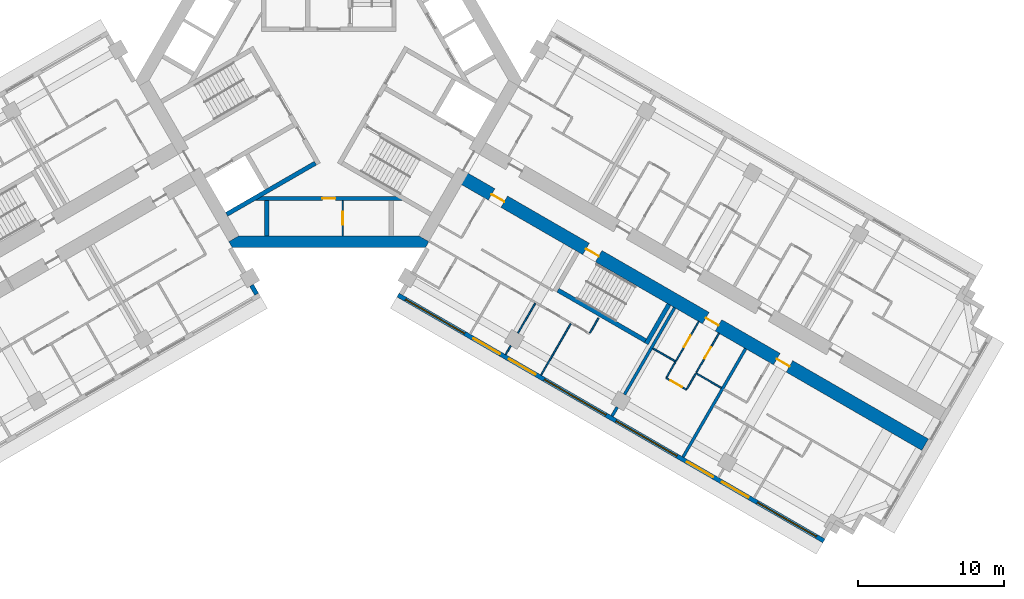
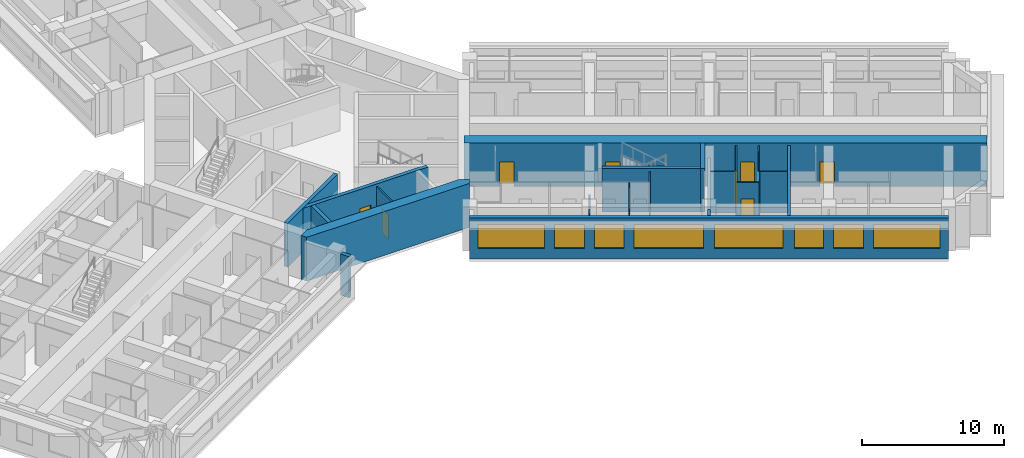
# One storey, part 5 of 14: 24 walls, 9 doors, 8 windows, 17 openings.
"""IFC4 building model written with IfcOpenShell, lengths in metres."""

from ifc_helpers import new_model, si_unit, direction, frame, frame_2d, origin, place, context, subcontext, project, spatial, polyline, rectangle, outline, extrude, material, layer, layer_set, type_object, element, fill, save


model = new_model("IFC4")

# Units and contexts
model_context = context("Model", 3, precision=1e-05, world=origin(), true_north=direction((0.0, 1.0)))
body_context = subcontext(model_context, "Body", "Model", "MODEL_VIEW")
ifc_project = project(units=[si_unit("LENGTHUNIT", "METRE"), si_unit("AREAUNIT", "SQUARE_METRE"), si_unit("VOLUMEUNIT", "CUBIC_METRE"), si_unit("PLANEANGLEUNIT", "RADIAN"), si_unit("MASSUNIT", "GRAM", prefix="KILO")], contexts=[model_context])

# Site, building, storey
site_placement = place(None, origin())
site = spatial("IfcSite", under=ifc_project, at=site_placement, CompositionType="ELEMENT")
building_placement = place(site_placement, origin())
building = spatial("IfcBuilding", under=site, at=building_placement, Name="Impinga Residences", CompositionType="ELEMENT")
storey_placement = place(building_placement, frame((0.0, 0.0, 147.25)))
storey = spatial("IfcBuildingStorey", under=building, at=storey_placement, Name="L36", CompositionType="ELEMENT", Elevation=147.25)

# Wall, openings, doors
ifc_material_1 = material(Name="Concrete C60/75", Category="concrete")
ifc_layer_1 = layer(ifc_material_1, 0.89990234375)
ifc_layer_set_1 = layer_set([ifc_layer_1], Name="Concrete C60/75")
wall_type_1 = type_object("IfcWallType", Name="BW2 corridor buttress wall, L24 to L44 900", PredefinedType="SHEAR", material=ifc_layer_set_1)
wall_1_placement = place(storey_placement, frame((8.95361328125, -6.554931640625, 0.0), z_axis=(0.0, 0.0, 1.0), x_axis=(0.866024733898, -0.500001160275, 0.0)))
wall_1 = element("IfcWall", 1, at=wall_1_placement, inside=storey, type_object=wall_type_1, Name="Corridor wall BW2 ED L36", PredefinedType="SHEAR", context=body_context, shape_type="SweptSolid", body=[
    extrude(rectangle(XDim=36.7001953125, YDim=0.89990234375, at=frame_2d((18.35009765625, 0.0))), origin(), (0.0, 0.0, 1.0), 3.75),
])
opening_1_placement = place(wall_1_placement, frame((9.949951171875, 0.0, 0.0)))
opening_1 = element("IfcOpeningElement", 2, at=opening_1_placement, cuts=wall_1, Name="Opening D5", PredefinedType="OPENING", context=body_context, shape_type="SweptSolid", body=[
    extrude(rectangle(XDim=1.0, YDim=2.10009765625, at=frame_2d((0.5, 1.050048828125))), frame((0.0, 0.4599609375, 0.0), z_axis=(0.0, -1.0, 0.0), x_axis=(1.0, 0.0, 0.0)), (0.0, 0.0, 1.0), 0.919921875),
])
opening_2_placement = place(wall_1_placement, frame((2.5, 0.0, 0.0)))
opening_2 = element("IfcOpeningElement", 3, at=opening_2_placement, cuts=wall_1, Name="Opening D1", PredefinedType="OPENING", context=body_context, shape_type="SweptSolid", body=[
    extrude(rectangle(XDim=1.0, YDim=2.10009765625, at=frame_2d((0.5, 1.050048828125))), frame((0.0, 0.4599609375, 0.0), z_axis=(0.0, -1.0, 0.0), x_axis=(1.0, 0.0, 0.0)), (0.0, 0.0, 1.0), 0.919921875),
])
opening_3_placement = place(wall_1_placement, frame((19.39990234375, 0.0, 0.0)))
opening_3 = element("IfcOpeningElement", 4, at=opening_3_placement, cuts=wall_1, Name="Opening D1", PredefinedType="OPENING", context=body_context, shape_type="SweptSolid", body=[
    extrude(rectangle(XDim=1.0, YDim=2.10009765625, at=frame_2d((0.5, 1.050048828125))), frame((0.0, 0.4599609375, 0.0), z_axis=(0.0, -1.0, 0.0), x_axis=(1.0, 0.0, 0.0)), (0.0, 0.0, 1.0), 0.919921875),
])
opening_4_placement = place(wall_1_placement, frame((25.0, 0.0, 0.0)))
opening_4 = element("IfcOpeningElement", 5, at=opening_4_placement, cuts=wall_1, Name="Opening D1", PredefinedType="OPENING", context=body_context, shape_type="SweptSolid", body=[
    extrude(rectangle(XDim=1.0, YDim=2.10009765625, at=frame_2d((0.5, 1.050048828125))), frame((0.0, 0.4599609375, 0.0), z_axis=(0.0, -1.0, 0.0), x_axis=(1.0, 0.0, 0.0)), (0.0, 0.0, 1.0), 0.919921875),
])
ifc_material_2 = material(Name="Timber door set", Category="wood")
door_type_1 = type_object("IfcDoorType", Name="D1 apartment entrance door 1000x2100", OperationType="SINGLE_SWING_LEFT", PredefinedType="DOOR", material=ifc_material_2)
door_1_placement = place(opening_2_placement, origin())
door_1 = element("IfcDoor", 6, at=door_1_placement, inside=storey, type_object=door_type_1, Name="Apartment L36-EF1 entrance", OperationType="SINGLE_SWING_LEFT", OverallHeight=2.10009765625, OverallWidth=1.0, PredefinedType="DOOR", context=body_context, shape_type="SweptSolid", body=[
    extrude(rectangle(XDim=1.0, YDim=2.10009765625, at=frame_2d((0.5, 1.050048828125))), frame((0.0, 0.02490234375, 0.0), z_axis=(0.0, -1.0, 0.0), x_axis=(1.0, 0.0, 0.0)), (0.0, 0.0, 1.0), 0.050048828125),
])
fill(opening_2, door_1)
door_2_placement = place(opening_3_placement, origin())
door_2 = element("IfcDoor", 7, at=door_2_placement, inside=storey, type_object=door_type_1, Name="Apartment L36-EF2 entrance", OperationType="SINGLE_SWING_RIGHT", OverallHeight=2.10009765625, OverallWidth=1.0, PredefinedType="DOOR", context=body_context, shape_type="SweptSolid", body=[
    extrude(rectangle(XDim=1.0, YDim=2.10009765625, at=frame_2d((0.5, 1.050048828125))), frame((0.0, 0.02490234375, 0.0), z_axis=(0.0, -1.0, 0.0), x_axis=(1.0, 0.0, 0.0)), (0.0, 0.0, 1.0), 0.050048828125),
])
fill(opening_3, door_2)
door_3_placement = place(opening_4_placement, origin())
door_3 = element("IfcDoor", 8, at=door_3_placement, inside=storey, type_object=door_type_1, Name="Apartment L36-EF3 entrance", OperationType="SINGLE_SWING_RIGHT", OverallHeight=2.10009765625, OverallWidth=1.0, PredefinedType="DOOR", context=body_context, shape_type="SweptSolid", body=[
    extrude(rectangle(XDim=1.0, YDim=2.10009765625, at=frame_2d((0.5, 1.050048828125))), frame((0.0, 0.02490234375, 0.0), z_axis=(0.0, -1.0, 0.0), x_axis=(1.0, 0.0, 0.0)), (0.0, 0.0, 1.0), 0.050048828125),
])
fill(opening_4, door_3)
door_type_2 = type_object("IfcDoorType", Name="D5 stair door 1000x2100", OperationType="SINGLE_SWING_LEFT", PredefinedType="DOOR", material=ifc_material_2)
door_4_placement = place(opening_1_placement, origin())
door_4 = element("IfcDoor", 9, at=door_4_placement, inside=storey, type_object=door_type_2, Name="Wing stair door E", OperationType="SINGLE_SWING_LEFT", OverallHeight=2.10009765625, OverallWidth=1.0, PredefinedType="DOOR", context=body_context, shape_type="SweptSolid", body=[
    extrude(rectangle(XDim=1.0, YDim=2.10009765625, at=frame_2d((0.5, 1.050048828125))), frame((0.0, 0.02490234375, 0.0), z_axis=(0.0, -1.0, 0.0), x_axis=(1.0, 0.0, 0.0)), (0.0, 0.0, 1.0), 0.050048828125),
])
fill(opening_1, door_4)

# Wall, opening, door
ifc_material_3 = material(Name="Concrete blockwork", Category="masonry")
ifc_layer_2 = layer(ifc_material_3, 0.10009765625)
ifc_layer_set_2 = layer_set([ifc_layer_2], Name="CP1 core room partition, blockwork 100")
wall_type_2 = type_object("IfcWallType", Name="CP1 core room partition, blockwork 100", PredefinedType="PARTITIONING", material=ifc_layer_set_2)
wall_2_placement = place(storey_placement, frame((0.949951171875, -8.2314453125, 0.0), z_axis=(0.0, 0.0, 1.0), x_axis=(0.0, -1.0, 0.0)))
wall_2 = element("IfcWall", 10, at=wall_2_placement, inside=storey, type_object=wall_type_2, Name="Core room partition, blockwork L36:CORE:low:ZP1", PredefinedType="PARTITIONING", context=body_context, shape_type="SweptSolid", body=[
    extrude(rectangle(XDim=2.400146484375, YDim=0.10009765625, at=frame_2d((1.2001953125, 0.0))), origin(), (0.0, 0.0, 1.0), 3.530029296875),
])
opening_5_placement = place(wall_2_placement, frame((0.75, 0.0, 0.0)))
opening_5 = element("IfcOpeningElement", 11, at=opening_5_placement, cuts=wall_2, Name="Opening D6", PredefinedType="OPENING", context=body_context, shape_type="SweptSolid", body=[
    extrude(rectangle(XDim=0.89990234375, YDim=2.10009765625, at=frame_2d((0.449951171875, 1.050048828125))), frame((0.0, 0.06005859375, 0.0), z_axis=(0.0, -1.0, 0.0), x_axis=(1.0, 0.0, 0.0)), (0.0, 0.0, 1.0), 0.1201171875),
])
door_type_3 = type_object("IfcDoorType", Name="D6 riser and store door 900x2100", OperationType="SINGLE_SWING_LEFT", PredefinedType="DOOR", material=ifc_material_2)
door_5_placement = place(opening_5_placement, origin())
door_5 = element("IfcDoor", 12, at=door_5_placement, inside=storey, type_object=door_type_3, Name="Cleaners' store door", OperationType="SINGLE_SWING_LEFT", OverallHeight=2.10009765625, OverallWidth=0.89990234375, PredefinedType="DOOR", context=body_context, shape_type="SweptSolid", body=[
    extrude(rectangle(XDim=0.89990234375, YDim=2.10009765625, at=frame_2d((0.449951171875, 1.050048828125))), frame((0.0, 0.02490234375, 0.0), z_axis=(0.0, -1.0, 0.0), x_axis=(1.0, 0.0, 0.0)), (0.0, 0.0, 1.0), 0.050048828125),
])
fill(opening_5, door_5)

# Wall, openings, windows
ifc_material_4 = material(Name="Terracotta rainscreen on blockwork", Category="masonry")
ifc_layer_3 = layer(ifc_material_4, 0.300048828125)
ifc_layer_set_3 = layer_set([ifc_layer_3], Name="EW1 external wall, terracotta rainscreen on blockwork 300")
wall_type_3 = type_object("IfcWallType", Name="EW1 external wall, terracotta rainscreen on blockwork 300", PredefinedType="SOLIDWALL", material=ifc_layer_set_3)
wall_3_placement = place(storey_placement, frame((33.823486328125, -31.479248046875, 0.0), z_axis=(0.0, 0.0, 1.0), x_axis=(-0.866024291668, 0.500001926238, 0.0)))
wall_3 = element("IfcWall", 13, at=wall_3_placement, inside=storey, type_object=wall_type_3, Name="External wall EW1 L36", PredefinedType="SOLIDWALL", context=body_context, shape_type="SweptSolid", body=[
    extrude(rectangle(XDim=33.599853515625, YDim=0.300048828125, at=frame_2d((16.7998046875, 0.0))), origin(), (0.0, 0.0, 1.0), 3.530029296875),
])
opening_6_placement = place(wall_3_placement, frame((0.60009765625, 0.0, 0.89990234375)))
opening_6 = element("IfcOpeningElement", 14, at=opening_6_placement, cuts=wall_3, Name="Opening W10", PredefinedType="OPENING", context=body_context, shape_type="SweptSolid", body=[
    extrude(rectangle(XDim=4.64990234375, YDim=2.050048828125, at=frame_2d((2.324951171875, 1.02490234375))), frame((0.0, 0.159912109375, 0.0), z_axis=(0.0, -1.0, 0.0), x_axis=(1.0, 0.0, 0.0)), (0.0, 0.0, 1.0), 0.320068359375),
])
opening_7_placement = place(wall_3_placement, frame((5.949951171875, 0.0, 0.89990234375)))
opening_7 = element("IfcOpeningElement", 15, at=opening_7_placement, cuts=wall_3, Name="Opening W9", PredefinedType="OPENING", context=body_context, shape_type="SweptSolid", body=[
    extrude(rectangle(XDim=2.10009765625, YDim=2.050048828125, at=frame_2d((1.050048828125, 1.02490234375))), frame((0.0, 0.159912109375, 0.0), z_axis=(0.0, -1.0, 0.0), x_axis=(1.0, 0.0, 0.0)), (0.0, 0.0, 1.0), 0.320068359375),
])
opening_8_placement = place(wall_3_placement, frame((8.75, 0.0, 0.89990234375)))
opening_8 = element("IfcOpeningElement", 16, at=opening_8_placement, cuts=wall_3, Name="Opening W14", PredefinedType="OPENING", context=body_context, shape_type="SweptSolid", body=[
    extrude(rectangle(XDim=2.050048828125, YDim=2.050048828125, at=frame_2d((1.02490234375, 1.02490234375))), frame((0.0, 0.159912109375, 0.0), z_axis=(0.0, -1.0, 0.0), x_axis=(1.0, 0.0, 0.0)), (0.0, 0.0, 1.0), 0.320068359375),
])
opening_9_placement = place(wall_3_placement, frame((11.60009765625, 0.0, 0.89990234375)))
opening_9 = element("IfcOpeningElement", 17, at=opening_9_placement, cuts=wall_3, Name="Opening W8", PredefinedType="OPENING", context=body_context, shape_type="SweptSolid", body=[
    extrude(rectangle(XDim=4.800048828125, YDim=2.050048828125, at=frame_2d((2.39990234375, 1.02490234375))), frame((0.0, 0.159912109375, 0.0), z_axis=(0.0, -1.0, 0.0), x_axis=(1.0, 0.0, 0.0)), (0.0, 0.0, 1.0), 0.320068359375),
])
opening_10_placement = place(wall_3_placement, frame((17.199951171875, 0.0, 0.89990234375)))
opening_10 = element("IfcOpeningElement", 18, at=opening_10_placement, cuts=wall_3, Name="Opening W6", PredefinedType="OPENING", context=body_context, shape_type="SweptSolid", body=[
    extrude(rectangle(XDim=4.85009765625, YDim=2.050048828125, at=frame_2d((2.425048828125, 1.02490234375))), frame((0.0, 0.159912109375, 0.0), z_axis=(0.0, -1.0, 0.0), x_axis=(1.0, 0.0, 0.0)), (0.0, 0.0, 1.0), 0.320068359375),
])
opening_11_placement = place(wall_3_placement, frame((22.75, 0.0, 0.89990234375)))
opening_11 = element("IfcOpeningElement", 19, at=opening_11_placement, cuts=wall_3, Name="Opening W9", PredefinedType="OPENING", context=body_context, shape_type="SweptSolid", body=[
    extrude(rectangle(XDim=2.10009765625, YDim=2.050048828125, at=frame_2d((1.050048828125, 1.02490234375))), frame((0.0, 0.159912109375, 0.0), z_axis=(0.0, -1.0, 0.0), x_axis=(1.0, 0.0, 0.0)), (0.0, 0.0, 1.0), 0.320068359375),
])
opening_12_placement = place(wall_3_placement, frame((25.550048828125, 0.0, 0.89990234375)))
opening_12 = element("IfcOpeningElement", 20, at=opening_12_placement, cuts=wall_3, Name="Opening W9", PredefinedType="OPENING", context=body_context, shape_type="SweptSolid", body=[
    extrude(rectangle(XDim=2.10009765625, YDim=2.050048828125, at=frame_2d((1.050048828125, 1.02490234375))), frame((0.0, 0.159912109375, 0.0), z_axis=(0.0, -1.0, 0.0), x_axis=(1.0, 0.0, 0.0)), (0.0, 0.0, 1.0), 0.320068359375),
])
opening_13_placement = place(wall_3_placement, frame((28.35009765625, 0.0, 0.89990234375)))
opening_13 = element("IfcOpeningElement", 21, at=opening_13_placement, cuts=wall_3, Name="Opening W10", PredefinedType="OPENING", context=body_context, shape_type="SweptSolid", body=[
    extrude(rectangle(XDim=4.64990234375, YDim=2.050048828125, at=frame_2d((2.324951171875, 1.02490234375))), frame((0.0, 0.159912109375, 0.0), z_axis=(0.0, -1.0, 0.0), x_axis=(1.0, 0.0, 0.0)), (0.0, 0.0, 1.0), 0.320068359375),
])
ifc_material_5 = material(Name="Aluminium window, clear double glazing", Category="aluminium")
window_type_1 = type_object("IfcWindowType", Name="W10 ribbon window 4650x2050", PartitioningType="SINGLE_PANEL", PredefinedType="WINDOW", material=ifc_material_5)
window_1_placement = place(opening_6_placement, origin())
window_1 = element("IfcWindow", 22, at=window_1_placement, inside=storey, type_object=window_type_1, Name="Window L36", OverallHeight=2.050048828125, OverallWidth=4.64990234375, PartitioningType="SINGLE_PANEL", PredefinedType="WINDOW", context=body_context, shape_type="SweptSolid", body=[
    extrude(rectangle(XDim=4.64990234375, YDim=2.050048828125, at=frame_2d((2.324951171875, 1.02490234375))), frame((0.0, 0.030029296875, 0.0), z_axis=(0.0, -1.0, 0.0), x_axis=(1.0, 0.0, 0.0)), (0.0, 0.0, 1.0), 0.06005859375),
])
fill(opening_6, window_1)
window_2_placement = place(opening_13_placement, origin())
window_2 = element("IfcWindow", 23, at=window_2_placement, inside=storey, type_object=window_type_1, Name="Window L36", OverallHeight=2.050048828125, OverallWidth=4.64990234375, PartitioningType="SINGLE_PANEL", PredefinedType="WINDOW", context=body_context, shape_type="SweptSolid", body=[
    extrude(rectangle(XDim=4.64990234375, YDim=2.050048828125, at=frame_2d((2.324951171875, 1.02490234375))), frame((0.0, 0.030029296875, 0.0), z_axis=(0.0, -1.0, 0.0), x_axis=(1.0, 0.0, 0.0)), (0.0, 0.0, 1.0), 0.06005859375),
])
fill(opening_13, window_2)
window_type_2 = type_object("IfcWindowType", Name="W14 ribbon window 2050x2050", PartitioningType="SINGLE_PANEL", PredefinedType="WINDOW", material=ifc_material_5)
window_3_placement = place(opening_8_placement, origin())
window_3 = element("IfcWindow", 24, at=window_3_placement, inside=storey, type_object=window_type_2, Name="Window L36", OverallHeight=2.050048828125, OverallWidth=2.050048828125, PartitioningType="SINGLE_PANEL", PredefinedType="WINDOW", context=body_context, shape_type="SweptSolid", body=[
    extrude(rectangle(XDim=2.050048828125, YDim=2.050048828125, at=frame_2d((1.02490234375, 1.02490234375))), frame((0.0, 0.030029296875, 0.0), z_axis=(0.0, -1.0, 0.0), x_axis=(1.0, 0.0, 0.0)), (0.0, 0.0, 1.0), 0.06005859375),
])
fill(opening_8, window_3)
window_type_3 = type_object("IfcWindowType", Name="W6 ribbon window 4850x2050", PartitioningType="SINGLE_PANEL", PredefinedType="WINDOW", material=ifc_material_5)
window_4_placement = place(opening_10_placement, origin())
window_4 = element("IfcWindow", 25, at=window_4_placement, inside=storey, type_object=window_type_3, Name="Window L36", OverallHeight=2.050048828125, OverallWidth=4.85009765625, PartitioningType="SINGLE_PANEL", PredefinedType="WINDOW", context=body_context, shape_type="SweptSolid", body=[
    extrude(rectangle(XDim=4.85009765625, YDim=2.050048828125, at=frame_2d((2.425048828125, 1.02490234375))), frame((0.0, 0.030029296875, 0.0), z_axis=(0.0, -1.0, 0.0), x_axis=(1.0, 0.0, 0.0)), (0.0, 0.0, 1.0), 0.06005859375),
])
fill(opening_10, window_4)
window_type_4 = type_object("IfcWindowType", Name="W8 ribbon window 4800x2050", PartitioningType="SINGLE_PANEL", PredefinedType="WINDOW", material=ifc_material_5)
window_5_placement = place(opening_9_placement, origin())
window_5 = element("IfcWindow", 26, at=window_5_placement, inside=storey, type_object=window_type_4, Name="Window L36", OverallHeight=2.050048828125, OverallWidth=4.800048828125, PartitioningType="SINGLE_PANEL", PredefinedType="WINDOW", context=body_context, shape_type="SweptSolid", body=[
    extrude(rectangle(XDim=4.800048828125, YDim=2.050048828125, at=frame_2d((2.39990234375, 1.02490234375))), frame((0.0, 0.030029296875, 0.0), z_axis=(0.0, -1.0, 0.0), x_axis=(1.0, 0.0, 0.0)), (0.0, 0.0, 1.0), 0.06005859375),
])
fill(opening_9, window_5)
window_type_5 = type_object("IfcWindowType", Name="W9 ribbon window 2100x2050", PartitioningType="SINGLE_PANEL", PredefinedType="WINDOW", material=ifc_material_5)
window_6_placement = place(opening_7_placement, origin())
window_6 = element("IfcWindow", 27, at=window_6_placement, inside=storey, type_object=window_type_5, Name="Window L36", OverallHeight=2.050048828125, OverallWidth=2.10009765625, PartitioningType="SINGLE_PANEL", PredefinedType="WINDOW", context=body_context, shape_type="SweptSolid", body=[
    extrude(rectangle(XDim=2.10009765625, YDim=2.050048828125, at=frame_2d((1.050048828125, 1.02490234375))), frame((0.0, 0.030029296875, 0.0), z_axis=(0.0, -1.0, 0.0), x_axis=(1.0, 0.0, 0.0)), (0.0, 0.0, 1.0), 0.06005859375),
])
fill(opening_7, window_6)
window_7_placement = place(opening_11_placement, origin())
window_7 = element("IfcWindow", 28, at=window_7_placement, inside=storey, type_object=window_type_5, Name="Window L36", OverallHeight=2.050048828125, OverallWidth=2.10009765625, PartitioningType="SINGLE_PANEL", PredefinedType="WINDOW", context=body_context, shape_type="SweptSolid", body=[
    extrude(rectangle(XDim=2.10009765625, YDim=2.050048828125, at=frame_2d((1.050048828125, 1.02490234375))), frame((0.0, 0.030029296875, 0.0), z_axis=(0.0, -1.0, 0.0), x_axis=(1.0, 0.0, 0.0)), (0.0, 0.0, 1.0), 0.06005859375),
])
fill(opening_11, window_7)
window_8_placement = place(opening_12_placement, origin())
window_8 = element("IfcWindow", 29, at=window_8_placement, inside=storey, type_object=window_type_5, Name="Window L36", OverallHeight=2.050048828125, OverallWidth=2.10009765625, PartitioningType="SINGLE_PANEL", PredefinedType="WINDOW", context=body_context, shape_type="SweptSolid", body=[
    extrude(rectangle(XDim=2.10009765625, YDim=2.050048828125, at=frame_2d((1.050048828125, 1.02490234375))), frame((0.0, 0.030029296875, 0.0), z_axis=(0.0, -1.0, 0.0), x_axis=(1.0, 0.0, 0.0)), (0.0, 0.0, 1.0), 0.06005859375),
])
fill(opening_12, window_8)

# Walls
wall_4_placement = place(storey_placement, frame((-5.27978515625, -14.01806640625, 0.0), z_axis=(0.0, 0.0, 1.0), x_axis=(0.499853302173, -0.866110083249, 0.0)))
element("IfcWall", 30, at=wall_4_placement, inside=storey, type_object=wall_type_3, Name="External wall EW1 L36", PredefinedType="SOLIDWALL", context=body_context, shape_type="SweptSolid", body=[
    extrude(rectangle(XDim=0.699951171875, YDim=0.300048828125, at=frame_2d((0.35009765625, 0.0))), origin(), (0.0, 0.0, 1.0), 3.530029296875),
])
ifc_material_6 = material(Name="Gypsum board on steel studs", Category="steel")
ifc_layer_4 = layer(ifc_material_6, 0.10009765625)
ifc_layer_set_4 = layer_set([ifc_layer_4], Name="Gypsum board on steel studs")
wall_type_4 = type_object("IfcWallType", Name="IP1 partition 100", PredefinedType="PARTITIONING", material=ifc_layer_set_4)
wall_5_placement = place(storey_placement, frame((18.43017578125, -16.240966796875, 0.0), z_axis=(0.0, 0.0, 1.0), x_axis=(-0.499880961361, -0.866094119867, 0.0)))
element("IfcWall", 31, at=wall_5_placement, inside=storey, type_object=wall_type_4, Name="Partition L36-EF1:SE1", PredefinedType="PARTITIONING", context=body_context, shape_type="SweptSolid", body=[
    extrude(rectangle(XDim=1.199951171875, YDim=0.10009765625, at=frame_2d((0.60009765625, 0.0))), origin(), (0.0, 0.0, 1.0), 3.530029296875),
])
wall_6_placement = place(storey_placement, frame((14.099609375, -15.241943359375, 0.0), z_axis=(0.0, 0.0, 1.0), x_axis=(-0.500016218704, -0.866016039709, 0.0)))
element("IfcWall", 32, at=wall_6_placement, inside=storey, type_object=wall_type_4, Name="Partition L36-EF1:OB2", PredefinedType="PARTITIONING", context=body_context, shape_type="SweptSolid", body=[
    extrude(rectangle(XDim=2.35009765625, YDim=0.10009765625, at=frame_2d((1.175048828125, 0.0))), origin(), (0.0, 0.0, 1.0), 2.47998046875),
])
wall_7_placement = place(storey_placement, frame((12.424560546875, -18.14306640625, 0.0), z_axis=(0.0, 0.0, 1.0), x_axis=(-0.499853302173, -0.866110083249, 0.0)))
element("IfcWall", 33, at=wall_7_placement, inside=storey, type_object=wall_type_4, Name="Partition L36-EF1:OB2b", PredefinedType="PARTITIONING", context=body_context, shape_type="SweptSolid", body=[
    extrude(rectangle(XDim=0.699951171875, YDim=0.10009765625, at=frame_2d((0.35009765625, 0.0))), origin(), (0.0, 0.0, 1.0), 3.530029296875),
])
wall_8_placement = place(storey_placement, frame((16.5244140625, -16.641845703125, 0.0), z_axis=(0.0, 0.0, 1.0), x_axis=(-0.499990325971, -0.866030989016, 0.0)))
element("IfcWall", 34, at=wall_8_placement, inside=storey, type_object=wall_type_4, Name="Partition L36-EF1:OB3", PredefinedType="PARTITIONING", context=body_context, shape_type="SweptSolid", body=[
    extrude(rectangle(XDim=4.0498046875, YDim=0.10009765625, at=frame_2d((2.02490234375, 0.0))), origin(), (0.0, 0.0, 1.0), 3.530029296875),
])
wall_9_placement = place(storey_placement, frame((22.1357421875, -18.32275390625, 0.0), z_axis=(0.0, 0.0, 1.0), x_axis=(0.866047807691, -0.499961193289, 0.0)))
element("IfcWall", 35, at=wall_9_placement, inside=storey, type_object=wall_type_4, Name="Partition L36-EF2:DIV0", PredefinedType="PARTITIONING", context=body_context, shape_type="SweptSolid", body=[
    extrude(rectangle(XDim=1.800048828125, YDim=0.10009765625, at=frame_2d((0.89990234375, 0.0))), origin(), (0.0, 0.0, 1.0), 3.530029296875),
])
wall_10_placement = place(storey_placement, frame((25.080322265625, -20.022705078125, 0.0), z_axis=(0.0, 0.0, 1.0), x_axis=(0.866010750942, -0.50002537861, 0.0)))
element("IfcWall", 36, at=wall_10_placement, inside=storey, type_object=wall_type_4, Name="Partition L36-EF2:DIV1", PredefinedType="PARTITIONING", context=body_context, shape_type="SweptSolid", body=[
    extrude(rectangle(XDim=2.0, YDim=0.10009765625, at=frame_2d((1.0, 0.0))), origin(), (0.0, 0.0, 1.0), 3.530029296875),
])

# Wall, opening, door
wall_11_placement = place(storey_placement, frame((23.044677734375, -20.3486328125, 0.0), z_axis=(0.0, 0.0, 1.0), x_axis=(0.866094119867, -0.499880961361, 0.0)))
wall_11 = element("IfcWall", 37, at=wall_11_placement, inside=storey, type_object=wall_type_4, Name="Partition L36-EF2:STRIP", PredefinedType="PARTITIONING", context=body_context, shape_type="SweptSolid", body=[
    extrude(rectangle(XDim=1.60009765625, YDim=0.10009765625, at=frame_2d((0.800048828125, 0.0))), origin(), (0.0, 0.0, 1.0), 3.530029296875),
])
opening_14_placement = place(wall_11_placement, frame((0.35009765625, 0.0, 0.0)))
opening_14 = element("IfcOpeningElement", 38, at=opening_14_placement, cuts=wall_11, Name="Opening D2", PredefinedType="OPENING", context=body_context, shape_type="SweptSolid", body=[
    extrude(rectangle(XDim=0.89990234375, YDim=2.10009765625, at=frame_2d((0.449951171875, 1.050048828125))), frame((0.0, 0.06005859375, 0.0), z_axis=(0.0, -1.0, 0.0), x_axis=(1.0, 0.0, 0.0)), (0.0, 0.0, 1.0), 0.1201171875),
])
door_type_4 = type_object("IfcDoorType", Name="D2 internal door 900x2100", OperationType="SINGLE_SWING_LEFT", PredefinedType="DOOR", material=ifc_material_2)
door_6_placement = place(opening_14_placement, origin())
door_6 = element("IfcDoor", 39, at=door_6_placement, inside=storey, type_object=door_type_4, Name="Apartment L36-EF2 room door", OperationType="SINGLE_SWING_LEFT", OverallHeight=2.10009765625, OverallWidth=0.89990234375, PredefinedType="DOOR", context=body_context, shape_type="SweptSolid", body=[
    extrude(rectangle(XDim=0.89990234375, YDim=2.10009765625, at=frame_2d((0.449951171875, 1.050048828125))), frame((0.0, 0.02490234375, 0.0), z_axis=(0.0, -1.0, 0.0), x_axis=(1.0, 0.0, 0.0)), (0.0, 0.0, 1.0), 0.050048828125),
])
fill(opening_14, door_6)

# Walls
for number, where, z_axis, x_axis, name in (
    (40, (23.669677734375, -19.265869140625, 0.0), (0.0, 0.0, 1.0), (-0.500033551112, -0.866006032174, 0.0), "Partition L36-EF2:SE0"),
    (41, (25.055419921875, -20.06591796875, 0.0), (0.0, 0.0, 1.0), (-0.500033551112, -0.866006032174, 0.0), "Partition L36-EF2:SE1"),
):
    element("IfcWall", number, at=place(storey_placement, frame(where, z_axis=z_axis, x_axis=x_axis)), inside=storey, type_object=wall_type_4, Name=name, PredefinedType="PARTITIONING", context=body_context, shape_type="SweptSolid", body=[
        extrude(rectangle(XDim=1.2001953125, YDim=0.10009765625, at=frame_2d((0.60009765625, 0.0))), origin(), (0.0, 0.0, 1.0), 3.530029296875),
    ])

# Wall, opening, door
wall_12_placement = place(storey_placement, frame((25.269775390625, -16.49462890625, 0.0), z_axis=(0.0, 0.0, 1.0), x_axis=(-0.49999285859, -0.86602952684, 0.0)))
wall_12 = element("IfcWall", 42, at=wall_12_placement, inside=storey, type_object=wall_type_4, Name="Partition L36-EF2:IB1", PredefinedType="PARTITIONING", context=body_context, shape_type="SweptSolid", body=[
    extrude(rectangle(XDim=3.10009765625, YDim=0.10009765625, at=frame_2d((1.550048828125, 0.0))), origin(), (0.0, 0.0, 1.0), 3.530029296875),
])
opening_15_placement = place(wall_12_placement, frame((1.10009765625, 0.0, 0.0)))
opening_15 = element("IfcOpeningElement", 43, at=opening_15_placement, cuts=wall_12, Name="Opening D2", PredefinedType="OPENING", context=body_context, shape_type="SweptSolid", body=[
    extrude(rectangle(XDim=0.89990234375, YDim=2.10009765625, at=frame_2d((0.449951171875, 1.050048828125))), frame((0.0, 0.06005859375, 0.0), z_axis=(0.0, -1.0, 0.0), x_axis=(1.0, 0.0, 0.0)), (0.0, 0.0, 1.0), 0.1201171875),
])
door_7_placement = place(opening_15_placement, origin())
door_7 = element("IfcDoor", 44, at=door_7_placement, inside=storey, type_object=door_type_4, Name="Apartment L36-EF2 bathroom door", OperationType="SINGLE_SWING_LEFT", OverallHeight=2.10009765625, OverallWidth=0.89990234375, PredefinedType="DOOR", context=body_context, shape_type="SweptSolid", body=[
    extrude(rectangle(XDim=0.89990234375, YDim=2.10009765625, at=frame_2d((0.449951171875, 1.050048828125))), frame((0.0, 0.02490234375, 0.0), z_axis=(0.0, -1.0, 0.0), x_axis=(1.0, 0.0, 0.0)), (0.0, 0.0, 1.0), 0.050048828125),
])
fill(opening_15, door_7)

wall_13_placement = place(storey_placement, frame((26.6552734375, -17.294677734375, 0.0), z_axis=(0.0, 0.0, 1.0), x_axis=(-0.49999285859, -0.86602952684, 0.0)))
wall_13 = element("IfcWall", 45, at=wall_13_placement, inside=storey, type_object=wall_type_4, Name="Partition L36-EF2:IB2", PredefinedType="PARTITIONING", context=body_context, shape_type="SweptSolid", body=[
    extrude(rectangle(XDim=3.10009765625, YDim=0.10009765625, at=frame_2d((1.550048828125, 0.0))), origin(), (0.0, 0.0, 1.0), 3.530029296875),
])
opening_16_placement = place(wall_13_placement, frame((1.10009765625, 0.0, 0.0)))
opening_16 = element("IfcOpeningElement", 46, at=opening_16_placement, cuts=wall_13, Name="Opening D2", PredefinedType="OPENING", context=body_context, shape_type="SweptSolid", body=[
    extrude(rectangle(XDim=0.89990234375, YDim=2.10009765625, at=frame_2d((0.449951171875, 1.050048828125))), frame((0.0, 0.06005859375, 0.0), z_axis=(0.0, -1.0, 0.0), x_axis=(1.0, 0.0, 0.0)), (0.0, 0.0, 1.0), 0.1201171875),
])
door_8_placement = place(opening_16_placement, origin())
door_8 = element("IfcDoor", 47, at=door_8_placement, inside=storey, type_object=door_type_4, Name="Apartment L36-EF2 WC door", OperationType="SINGLE_SWING_LEFT", OverallHeight=2.10009765625, OverallWidth=0.89990234375, PredefinedType="DOOR", context=body_context, shape_type="SweptSolid", body=[
    extrude(rectangle(XDim=0.89990234375, YDim=2.10009765625, at=frame_2d((0.449951171875, 1.050048828125))), frame((0.0, 0.02490234375, 0.0), z_axis=(0.0, -1.0, 0.0), x_axis=(1.0, 0.0, 0.0)), (0.0, 0.0, 1.0), 0.050048828125),
])
fill(opening_16, door_8)

# Walls
ifc_layer_5 = layer(ifc_material_3, 0.199951171875)
ifc_layer_set_5 = layer_set([ifc_layer_5], Name="PW1 party wall between apartments 200")
wall_type_5 = type_object("IfcWallType", Name="PW1 party wall between apartments 200", PredefinedType="SOLIDWALL", material=ifc_layer_set_5)
wall_14_placement = place(storey_placement, frame((23.624267578125, -15.544677734375, 0.0), z_axis=(0.0, 0.0, 1.0), x_axis=(-0.499999086063, -0.866025931445, 0.0)))
element("IfcWall", 48, at=wall_14_placement, inside=storey, type_object=wall_type_5, Name="Party wall between apartments L36-EF1:PARTY", PredefinedType="SOLIDWALL", context=body_context, shape_type="SweptSolid", body=[
    extrude(rectangle(XDim=6.85009765625, YDim=0.199951171875, at=frame_2d((3.425048828125, 0.0))), origin(), (0.0, 0.0, 1.0), 2.47998046875),
])
wall_15_placement = place(storey_placement, frame((19.69921875, -22.343017578125, 0.0), z_axis=(0.0, 0.0, 1.0), x_axis=(-0.500114896893, -0.865959057869, 0.0)))
element("IfcWall", 49, at=wall_15_placement, inside=storey, type_object=wall_type_5, Name="Party wall between apartments L36-EF1:PARTYb", PredefinedType="SOLIDWALL", context=body_context, shape_type="SweptSolid", body=[
    extrude(rectangle(XDim=0.699951171875, YDim=0.199951171875, at=frame_2d((0.35009765625, 0.0))), origin(), (0.0, 0.0, 1.0), 3.530029296875),
])
wall_16_placement = place(storey_placement, frame((28.473876953125, -18.3447265625, 0.0), z_axis=(0.0, 0.0, 1.0), x_axis=(-0.499990227581, -0.86603104582, 0.0)))
element("IfcWall", 50, at=wall_16_placement, inside=storey, type_object=wall_type_5, Name="Party wall between apartments L36-EF2:PARTY", PredefinedType="SOLIDWALL", context=body_context, shape_type="SweptSolid", body=[
    extrude(rectangle(XDim=8.550048828125, YDim=0.199951171875, at=frame_2d((4.27490234375, 0.0))), origin(), (0.0, 0.0, 1.0), 3.530029296875),
])
ifc_layer_6 = layer(ifc_material_1, 0.300048828125)
ifc_layer_set_6 = layer_set([ifc_layer_6], Name="Concrete C60/75")
wall_type_6 = type_object("IfcWallType", Name="SE1 wing stair enclosure wall 300", PredefinedType="SOLIDWALL", material=ifc_layer_set_6)
wall_17_placement = place(storey_placement, frame((23.234619140625, -15.31982421875, 0.0), z_axis=(0.0, 0.0, 1.0), x_axis=(-0.500026960575, -0.86600983753, 0.0)))
element("IfcWall", 51, at=wall_17_placement, inside=storey, type_object=wall_type_6, Name="Stair enclosure wall SE1 E END1 L36", PredefinedType="SOLIDWALL", context=body_context, shape_type="SweptSolid", body=[
    extrude(rectangle(XDim=3.099853515625, YDim=0.300048828125, at=frame_2d((1.5498046875, 0.0))), origin(), (0.0, 0.0, 1.0), 3.75),
])
wall_18_placement = place(storey_placement, frame((15.654052734375, -14.349365234375, 0.0), z_axis=(0.0, 0.0, 1.0), x_axis=(0.866013532718, -0.500020560727, 0.0)))
element("IfcWall", 52, at=wall_18_placement, inside=storey, type_object=wall_type_6, Name="Stair enclosure wall SE1 E OUT L36", PredefinedType="SOLIDWALL", context=body_context, shape_type="SweptSolid", body=[
    extrude(rectangle(XDim=6.900146484375, YDim=0.300048828125, at=frame_2d((3.4501953125, 0.0))), origin(), (0.0, 0.0, 1.0), 3.75),
])
ifc_layer_7 = layer(ifc_material_1, 0.800048828125)
ifc_layer_set_7 = layer_set([ifc_layer_7], Name="Concrete C60/75")
wall_type_7 = type_object("IfcWallType", Name="SW2 core wall 800", PredefinedType="SHEAR", material=ifc_layer_set_7)
wall_19_placement = place(storey_placement, origin())
element("IfcWall", 53, at=wall_19_placement, inside=storey, type_object=wall_type_7, Name="Core wall SW2 N:EXPOSED L36", PredefinedType="SHEAR", context=body_context, shape_type="SweptSolid", body=[
    extrude(outline(polyline([(-6.60009765625, -11.431640625), (6.60009765625, -11.431640625), (6.8310546875, -11.031494140625), (6.13818359375, -10.631591796875), (-6.13818359375, -10.631591796875), (-6.8310546875, -11.031494140625), (-6.60009765625, -11.431640625)])), origin(), (0.0, 0.0, 1.0), 3.75),
])
ifc_material_7 = material(Name="Concrete C70/85", Category="concrete")
ifc_layer_8 = layer(ifc_material_7, 0.300048828125)
ifc_layer_set_8 = layer_set([ifc_layer_8], Name="Concrete C70/85")
wall_type_8 = type_object("IfcWallType", Name="SW5 core inner wall, stairs, shafts and lobbies 300", PredefinedType="SHEAR", material=ifc_layer_set_8)
wall_20_placement = place(storey_placement, frame((-0.918701171875, -5.668701171875, 0.0), z_axis=(0.0, 0.0, 1.0), x_axis=(-0.866011380966, -0.500024287448, 0.0)))
element("IfcWall", 54, at=wall_20_placement, inside=storey, type_object=wall_type_8, Name="Core wall SW5 W:FF-OUT L36", PredefinedType="SHEAR", context=body_context, shape_type="SweptSolid", body=[
    extrude(rectangle(XDim=7.001708984375, YDim=0.300048828125, at=frame_2d((3.5009765625, 0.0))), origin(), (0.0, 0.0, 1.0), 3.75),
])

# Wall, opening, door
wall_21_placement = place(storey_placement, frame((5.09765625, -8.08154296875, 0.0), z_axis=(0.0, 0.0, 1.0), x_axis=(-1.0, 0.0, 0.0)))
wall_21 = element("IfcWall", 55, at=wall_21_placement, inside=storey, type_object=wall_type_8, Name="Core wall SW5 N:BANK-FRONT L36", PredefinedType="SHEAR", context=body_context, shape_type="SweptSolid", body=[
    extrude(rectangle(XDim=10.1953125, YDim=0.300048828125, at=frame_2d((5.09765625, 0.0))), origin(), (0.0, 0.0, 1.0), 3.75),
])
opening_17_placement = place(wall_21_placement, frame((4.647705078125, 0.0, 0.0)))
opening_17 = element("IfcOpeningElement", 56, at=opening_17_placement, cuts=wall_21, Name="Opening D6", PredefinedType="OPENING", context=body_context, shape_type="SweptSolid", body=[
    extrude(rectangle(XDim=0.89990234375, YDim=2.10009765625, at=frame_2d((0.449951171875, 1.050048828125))), frame((0.0, 0.159912109375, 0.0), z_axis=(0.0, -1.0, 0.0), x_axis=(1.0, 0.0, 0.0)), (0.0, 0.0, 1.0), 0.320068359375),
])
door_9_placement = place(opening_17_placement, origin())
door_9 = element("IfcDoor", 57, at=door_9_placement, inside=storey, type_object=door_type_3, Name="Vending and ice room door", OperationType="SINGLE_SWING_LEFT", OverallHeight=2.10009765625, OverallWidth=0.89990234375, PredefinedType="DOOR", context=body_context, shape_type="SweptSolid", body=[
    extrude(rectangle(XDim=0.89990234375, YDim=2.10009765625, at=frame_2d((0.449951171875, 1.050048828125))), frame((0.0, 0.02490234375, 0.0), z_axis=(0.0, -1.0, 0.0), x_axis=(1.0, 0.0, 0.0)), (0.0, 0.0, 1.0), 0.050048828125),
])
fill(opening_17, door_9)

# Wall
wall_22_placement = place(storey_placement, frame((-4.25, -8.2314453125, 0.0), z_axis=(0.0, 0.0, 1.0), x_axis=(0.0, -1.0, 0.0)))
element("IfcWall", 58, at=wall_22_placement, inside=storey, type_object=wall_type_8, Name="Core wall SW5 N:BANK-R L36", PredefinedType="SHEAR", context=body_context, shape_type="SweptSolid", body=[
    extrude(rectangle(XDim=2.400146484375, YDim=0.300048828125, at=frame_2d((1.2001953125, 0.0))), origin(), (0.0, 0.0, 1.0), 3.75),
])

save(model, "model.ifc")
